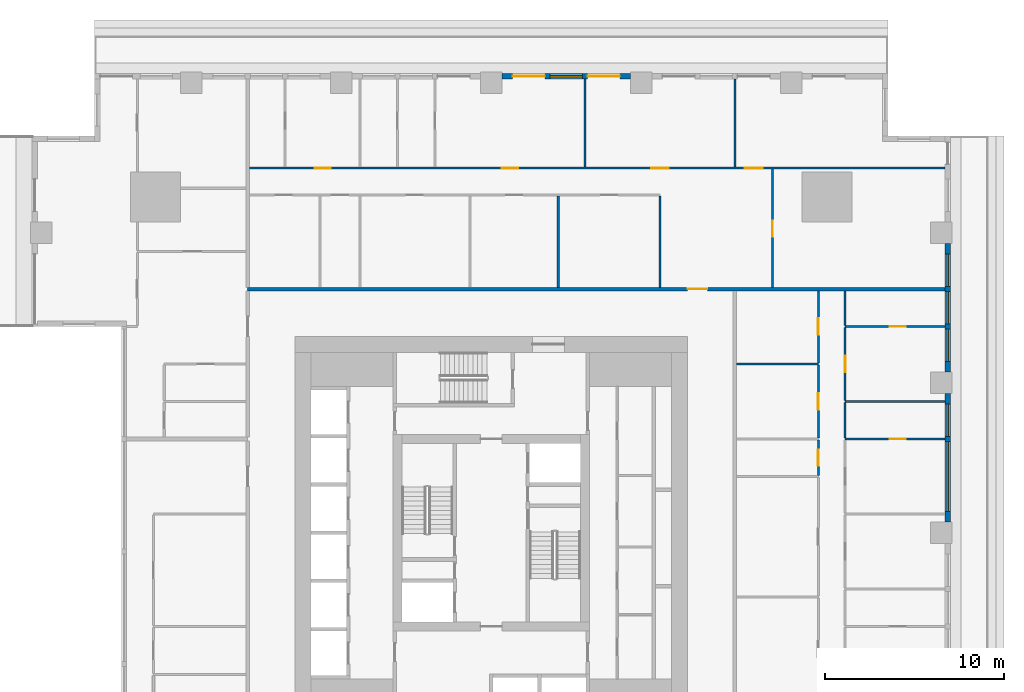
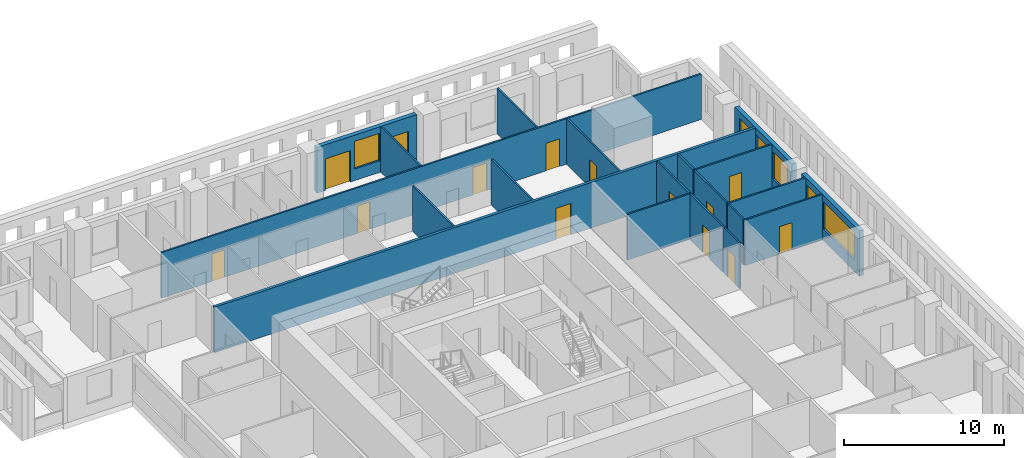
# One storey, part 8 of 14: 20 walls, 14 doors, 6 windows, 20 openings.
"""IFC4 building model written with IfcOpenShell, lengths in metres."""

from ifc_helpers import new_model, si_unit, direction, frame, frame_2d, origin, place, context, subcontext, project, spatial, rectangle, extrude, material, layer, layer_set, type_object, element, fill, save


model = new_model("IFC4")

# Units and contexts
model_context = context("Model", 3, precision=1e-05, world=origin(), true_north=direction((0.0, 1.0)))
body_context = subcontext(model_context, "Body", "Model", "MODEL_VIEW")
ifc_project = project(units=[si_unit("LENGTHUNIT", "METRE"), si_unit("AREAUNIT", "SQUARE_METRE"), si_unit("VOLUMEUNIT", "CUBIC_METRE"), si_unit("PLANEANGLEUNIT", "RADIAN"), si_unit("MASSUNIT", "GRAM", prefix="KILO")], contexts=[model_context])

# Site, building, storey
site_placement = place(None, origin())
site = spatial("IfcSite", under=ifc_project, at=site_placement, CompositionType="ELEMENT")
building_placement = place(site_placement, origin())
building = spatial("IfcBuilding", under=site, at=building_placement, Name="Khepri Terraces", CompositionType="ELEMENT")
storey_placement = place(building_placement, frame((0.0, 0.0, 114.300048828125)))
storey = spatial("IfcBuildingStorey", under=building, at=storey_placement, Name="L27", CompositionType="ELEMENT", Elevation=114.300048828125)

# Wall, opening, door
ifc_material_1 = material(Name="Fire-rated gypsum plasterboard partition, mineral wool")
ifc_layer_1 = layer(ifc_material_1, 0.199951171875, Name="Fire-rated gypsum plasterboard partition, mineral wool")
ifc_layer_set_1 = layer_set([ifc_layer_1], Name="Fire-rated gypsum plasterboard partition, mineral wool")
wall_type_1 = type_object("IfcWallType", Name="WL-CORR-200", PredefinedType="PARTITIONING", material=ifc_layer_set_1)
wall_1_placement = place(storey_placement, frame((-13.64990234375, 13.64990234375, 0.0), z_axis=(0.0, 0.0, 1.0), x_axis=(1.0, 0.0, 0.0)))
wall_1 = element("IfcWall", 1, at=wall_1_placement, inside=storey, type_object=wall_type_1, Name="Partition P-067 L27", PredefinedType="PARTITIONING", context=body_context, shape_type="SweptSolid", body=[
    extrude(rectangle(XDim=39.06982421875, YDim=0.199951171875, at=frame_2d((19.534912109375, 0.0))), origin(), (0.0, 0.0, 1.0), 3.47998046875),
])
opening_1_placement = place(wall_1_placement, frame((24.64990234375, 0.0, 0.0)))
opening_1 = element("IfcOpeningElement", 2, at=opening_1_placement, cuts=wall_1, Name="Opening D1", PredefinedType="OPENING", context=body_context, shape_type="SweptSolid", body=[
    extrude(rectangle(XDim=1.10009765625, YDim=2.39990234375, at=frame_2d((0.550048828125, 1.199951171875))), frame((0.0, 0.10986328125, 0.0), z_axis=(0.0, -1.0, 0.0), x_axis=(1.0, 0.0, 0.0)), (0.0, 0.0, 1.0), 0.219970703125),
])
ifc_material_2 = material(Name="Solid-core timber door leaf, flat entrance door", Category="wood")
door_type_1 = type_object("IfcDoorType", Name="DR-ENT-1100", OperationType="NOTDEFINED", PredefinedType="DOOR", material=ifc_material_2)
door_1_placement = place(opening_1_placement, origin())
door_1 = element("IfcDoor", 3, at=door_1_placement, inside=storey, type_object=door_type_1, Name="Flat C1 entrance door", OperationType="SINGLE_SWING_RIGHT", OverallHeight=2.39990234375, OverallWidth=1.10009765625, PredefinedType="DOOR", context=body_context, shape_type="SweptSolid", body=[
    extrude(rectangle(XDim=1.10009765625, YDim=2.39990234375, at=frame_2d((0.550048828125, 1.199951171875))), frame((0.0, 0.02490234375, 0.0), z_axis=(0.0, -1.0, 0.0), x_axis=(1.0, 0.0, 0.0)), (0.0, 0.0, 1.0), 0.050048828125),
])
fill(opening_1, door_1)

# Wall, openings, windows
ifc_material_3 = material(Name="Precast concrete C50/60 warm stone", Category="masonry")
ifc_layer_2 = layer(ifc_material_3, 0.300048828125, Name="Precast concrete C50/60 warm stone", Category="masonry")
ifc_layer_set_2 = layer_set([ifc_layer_2], Name="Precast concrete C50/60 warm stone")
wall_type_2 = type_object("IfcWallType", Name="WL-EXT-PRECAST-300", PredefinedType="STANDARD", material=ifc_layer_set_2)
wall_2_placement = place(storey_placement, frame((25.570068359375, 0.60009765625, 0.0), z_axis=(0.0, 0.0, 1.0), x_axis=(0.0, 1.0, 0.0)))
wall_2 = element("IfcWall", 4, at=wall_2_placement, inside=storey, type_object=wall_type_2, Name="External wall L27 E", PredefinedType="STANDARD", context=body_context, shape_type="SweptSolid", body=[
    extrude(rectangle(XDim=7.199951171875, YDim=0.300048828125, at=frame_2d((3.60009765625, 0.0))), origin(), (0.0, 0.0, 1.0), 3.47998046875),
])
opening_2_placement = place(wall_2_placement, frame((0.60009765625, 0.0, 0.89990234375)))
opening_2 = element("IfcOpeningElement", 5, at=opening_2_placement, cuts=wall_2, Name="Opening W2", PredefinedType="OPENING", context=body_context, shape_type="SweptSolid", body=[
    extrude(rectangle(XDim=3.89990234375, YDim=2.10009765625, at=frame_2d((1.949951171875, 1.050048828125))), frame((0.0, 0.16015625, 0.0), z_axis=(0.0, -1.0, 0.0), x_axis=(1.0, 0.0, 0.0)), (0.0, 0.0, 1.0), 0.320068359375),
])
opening_3_placement = place(wall_2_placement, frame((4.800048828125, 0.0, 0.89990234375)))
opening_3 = element("IfcOpeningElement", 6, at=opening_3_placement, cuts=wall_2, Name="Opening W1", PredefinedType="OPENING", context=body_context, shape_type="SweptSolid", body=[
    extrude(rectangle(XDim=1.800048828125, YDim=2.10009765625, at=frame_2d((0.89990234375, 1.050048828125))), frame((0.0, 0.16015625, 0.0), z_axis=(0.0, -1.0, 0.0), x_axis=(1.0, 0.0, 0.0)), (0.0, 0.0, 1.0), 0.320068359375),
])
ifc_material_4 = material(Name="Clear glass", Category="glass")
window_type_1 = type_object("IfcWindowType", Name="WIN-RES-1800x2100", PartitioningType="SINGLE_PANEL", PredefinedType="WINDOW", material=ifc_material_4)
window_1_placement = place(opening_3_placement, origin())
window_1 = element("IfcWindow", 7, at=window_1_placement, inside=storey, type_object=window_type_1, Name="Window L27 E", OverallHeight=2.10009765625, OverallWidth=1.800048828125, PartitioningType="SINGLE_PANEL", PredefinedType="WINDOW", context=body_context, shape_type="SweptSolid", body=[
    extrude(rectangle(XDim=1.800048828125, YDim=2.10009765625, at=frame_2d((0.89990234375, 1.050048828125))), frame((0.0, 0.030029296875, 0.0), z_axis=(0.0, -1.0, 0.0), x_axis=(1.0, 0.0, 0.0)), (0.0, 0.0, 1.0), 0.06005859375),
])
fill(opening_3, window_1)
window_type_2 = type_object("IfcWindowType", Name="WIN-RES-3900x2100", PartitioningType="SINGLE_PANEL", PredefinedType="WINDOW", material=ifc_material_4)
window_2_placement = place(opening_2_placement, origin())
window_2 = element("IfcWindow", 8, at=window_2_placement, inside=storey, type_object=window_type_2, Name="Window L27 E", OverallHeight=2.10009765625, OverallWidth=3.89990234375, PartitioningType="SINGLE_PANEL", PredefinedType="WINDOW", context=body_context, shape_type="SweptSolid", body=[
    extrude(rectangle(XDim=3.89990234375, YDim=2.10009765625, at=frame_2d((1.949951171875, 1.050048828125))), frame((0.0, 0.030029296875, 0.0), z_axis=(0.0, -1.0, 0.0), x_axis=(1.0, 0.0, 0.0)), (0.0, 0.0, 1.0), 0.06005859375),
])
fill(opening_2, window_2)

wall_3_placement = place(storey_placement, frame((25.570068359375, 9.0, 0.0), z_axis=(0.0, 0.0, 1.0), x_axis=(0.0, 1.0, 0.0)))
wall_3 = element("IfcWall", 9, at=wall_3_placement, inside=storey, type_object=wall_type_2, Name="External wall L27 E", PredefinedType="STANDARD", context=body_context, shape_type="SweptSolid", body=[
    extrude(rectangle(XDim=7.199951171875, YDim=0.300048828125, at=frame_2d((3.60009765625, 0.0))), origin(), (0.0, 0.0, 1.0), 3.47998046875),
])
opening_4_placement = place(wall_3_placement, frame((0.60009765625, 0.0, 0.89990234375)))
opening_4 = element("IfcOpeningElement", 10, at=opening_4_placement, cuts=wall_3, Name="Opening W1", PredefinedType="OPENING", context=body_context, shape_type="SweptSolid", body=[
    extrude(rectangle(XDim=1.800048828125, YDim=2.10009765625, at=frame_2d((0.89990234375, 1.050048828125))), frame((0.0, 0.16015625, 0.0), z_axis=(0.0, -1.0, 0.0), x_axis=(1.0, 0.0, 0.0)), (0.0, 0.0, 1.0), 0.320068359375),
])
opening_5_placement = place(wall_3_placement, frame((2.699951171875, 0.0, 0.89990234375)))
opening_5 = element("IfcOpeningElement", 11, at=opening_5_placement, cuts=wall_3, Name="Opening W1", PredefinedType="OPENING", context=body_context, shape_type="SweptSolid", body=[
    extrude(rectangle(XDim=1.800048828125, YDim=2.10009765625, at=frame_2d((0.89990234375, 1.050048828125))), frame((0.0, 0.16015625, 0.0), z_axis=(0.0, -1.0, 0.0), x_axis=(1.0, 0.0, 0.0)), (0.0, 0.0, 1.0), 0.320068359375),
])
opening_6_placement = place(wall_3_placement, frame((4.800048828125, 0.0, 0.89990234375)))
opening_6 = element("IfcOpeningElement", 12, at=opening_6_placement, cuts=wall_3, Name="Opening W1", PredefinedType="OPENING", context=body_context, shape_type="SweptSolid", body=[
    extrude(rectangle(XDim=1.800048828125, YDim=2.10009765625, at=frame_2d((0.89990234375, 1.050048828125))), frame((0.0, 0.16015625, 0.0), z_axis=(0.0, -1.0, 0.0), x_axis=(1.0, 0.0, 0.0)), (0.0, 0.0, 1.0), 0.320068359375),
])
window_3_placement = place(opening_4_placement, origin())
window_3 = element("IfcWindow", 13, at=window_3_placement, inside=storey, type_object=window_type_1, Name="Window L27 E", OverallHeight=2.10009765625, OverallWidth=1.800048828125, PartitioningType="SINGLE_PANEL", PredefinedType="WINDOW", context=body_context, shape_type="SweptSolid", body=[
    extrude(rectangle(XDim=1.800048828125, YDim=2.10009765625, at=frame_2d((0.89990234375, 1.050048828125))), frame((0.0, 0.030029296875, 0.0), z_axis=(0.0, -1.0, 0.0), x_axis=(1.0, 0.0, 0.0)), (0.0, 0.0, 1.0), 0.06005859375),
])
fill(opening_4, window_3)
window_4_placement = place(opening_5_placement, origin())
window_4 = element("IfcWindow", 14, at=window_4_placement, inside=storey, type_object=window_type_1, Name="Window L27 E", OverallHeight=2.10009765625, OverallWidth=1.800048828125, PartitioningType="SINGLE_PANEL", PredefinedType="WINDOW", context=body_context, shape_type="SweptSolid", body=[
    extrude(rectangle(XDim=1.800048828125, YDim=2.10009765625, at=frame_2d((0.89990234375, 1.050048828125))), frame((0.0, 0.030029296875, 0.0), z_axis=(0.0, -1.0, 0.0), x_axis=(1.0, 0.0, 0.0)), (0.0, 0.0, 1.0), 0.06005859375),
])
fill(opening_5, window_4)
window_5_placement = place(opening_6_placement, origin())
window_5 = element("IfcWindow", 15, at=window_5_placement, inside=storey, type_object=window_type_1, Name="Window L27 E", OverallHeight=2.10009765625, OverallWidth=1.800048828125, PartitioningType="SINGLE_PANEL", PredefinedType="WINDOW", context=body_context, shape_type="SweptSolid", body=[
    extrude(rectangle(XDim=1.800048828125, YDim=2.10009765625, at=frame_2d((0.89990234375, 1.050048828125))), frame((0.0, 0.030029296875, 0.0), z_axis=(0.0, -1.0, 0.0), x_axis=(1.0, 0.0, 0.0)), (0.0, 0.0, 1.0), 0.06005859375),
])
fill(opening_6, window_5)

# Wall, openings, doors, window
wall_4_placement = place(storey_placement, frame((7.800048828125, 25.570068359375, 0.0), z_axis=(0.0, 0.0, 1.0), x_axis=(-1.0, 0.0, 0.0)))
wall_4 = element("IfcWall", 16, at=wall_4_placement, inside=storey, type_object=wall_type_2, Name="External wall L27 N", PredefinedType="STANDARD", context=body_context, shape_type="SweptSolid", body=[
    extrude(rectangle(XDim=7.199951171875, YDim=0.300048828125, at=frame_2d((3.60009765625, 0.0))), origin(), (0.0, 0.0, 1.0), 3.47998046875),
])
opening_7_placement = place(wall_4_placement, frame((0.60009765625, 0.0, 0.0)))
opening_7 = element("IfcOpeningElement", 17, at=opening_7_placement, cuts=wall_4, Name="Opening ED-L27-08", PredefinedType="OPENING", context=body_context, shape_type="SweptSolid", body=[
    extrude(rectangle(XDim=1.800048828125, YDim=2.39990234375, at=frame_2d((0.89990234375, 1.199951171875))), frame((0.0, 0.16015625, 0.0), z_axis=(0.0, -1.0, 0.0), x_axis=(1.0, 0.0, 0.0)), (0.0, 0.0, 1.0), 0.320068359375),
])
opening_8_placement = place(wall_4_placement, frame((2.699951171875, 0.0, 0.89990234375)))
opening_8 = element("IfcOpeningElement", 18, at=opening_8_placement, cuts=wall_4, Name="Opening W1", PredefinedType="OPENING", context=body_context, shape_type="SweptSolid", body=[
    extrude(rectangle(XDim=1.800048828125, YDim=2.10009765625, at=frame_2d((0.89990234375, 1.050048828125))), frame((0.0, 0.16015625, 0.0), z_axis=(0.0, -1.0, 0.0), x_axis=(1.0, 0.0, 0.0)), (0.0, 0.0, 1.0), 0.320068359375),
])
opening_9_placement = place(wall_4_placement, frame((4.800048828125, 0.0, 0.0)))
opening_9 = element("IfcOpeningElement", 19, at=opening_9_placement, cuts=wall_4, Name="Opening ED-L27-09", PredefinedType="OPENING", context=body_context, shape_type="SweptSolid", body=[
    extrude(rectangle(XDim=1.800048828125, YDim=2.39990234375, at=frame_2d((0.89990234375, 1.199951171875))), frame((0.0, 0.16015625, 0.0), z_axis=(0.0, -1.0, 0.0), x_axis=(1.0, 0.0, 0.0)), (0.0, 0.0, 1.0), 0.320068359375),
])
ifc_material_5 = material(Name="Anodised aluminium bronze glazed door", Category="aluminium")
door_type_2 = type_object("IfcDoorType", Name="DR-BAL-SLIDE-1800x2400", OperationType="NOTDEFINED", PredefinedType="DOOR", material=ifc_material_5)
door_2_placement = place(opening_7_placement, origin())
door_2 = element("IfcDoor", 20, at=door_2_placement, inside=storey, type_object=door_type_2, Name="Balcony door L27 N", OperationType="SLIDING_TO_LEFT", OverallHeight=2.39990234375, OverallWidth=1.800048828125, PredefinedType="DOOR", context=body_context, shape_type="SweptSolid", body=[
    extrude(rectangle(XDim=1.800048828125, YDim=2.39990234375, at=frame_2d((0.89990234375, 1.199951171875))), frame((0.0, 0.02490234375, 0.0), z_axis=(0.0, -1.0, 0.0), x_axis=(1.0, 0.0, 0.0)), (0.0, 0.0, 1.0), 0.050048828125),
])
fill(opening_7, door_2)
door_3_placement = place(opening_9_placement, origin())
door_3 = element("IfcDoor", 21, at=door_3_placement, inside=storey, type_object=door_type_2, Name="Balcony door L27 N", OperationType="SLIDING_TO_RIGHT", OverallHeight=2.39990234375, OverallWidth=1.800048828125, PredefinedType="DOOR", context=body_context, shape_type="SweptSolid", body=[
    extrude(rectangle(XDim=1.800048828125, YDim=2.39990234375, at=frame_2d((0.89990234375, 1.199951171875))), frame((0.0, 0.02490234375, 0.0), z_axis=(0.0, -1.0, 0.0), x_axis=(1.0, 0.0, 0.0)), (0.0, 0.0, 1.0), 0.050048828125),
])
fill(opening_9, door_3)
window_6_placement = place(opening_8_placement, origin())
window_6 = element("IfcWindow", 22, at=window_6_placement, inside=storey, type_object=window_type_1, Name="Window L27 N", OverallHeight=2.10009765625, OverallWidth=1.800048828125, PartitioningType="SINGLE_PANEL", PredefinedType="WINDOW", context=body_context, shape_type="SweptSolid", body=[
    extrude(rectangle(XDim=1.800048828125, YDim=2.10009765625, at=frame_2d((0.89990234375, 1.050048828125))), frame((0.0, 0.030029296875, 0.0), z_axis=(0.0, -1.0, 0.0), x_axis=(1.0, 0.0, 0.0)), (0.0, 0.0, 1.0), 0.06005859375),
])
fill(opening_8, window_6)

# Wall, opening, door
ifc_material_6 = material(Name="Gypsum plasterboard partition")
ifc_layer_3 = layer(ifc_material_6, 0.1201171875, Name="Gypsum plasterboard partition")
ifc_layer_set_3 = layer_set([ifc_layer_3], Name="Gypsum plasterboard partition")
wall_type_3 = type_object("IfcWallType", Name="WL-PART-120", PredefinedType="PARTITIONING", material=ifc_layer_set_3)
wall_5_placement = place(storey_placement, frame((18.320068359375, 3.2099609375, 0.0), z_axis=(0.0, 0.0, 1.0), x_axis=(0.0, 1.0, 0.0)))
wall_5 = element("IfcWall", 23, at=wall_5_placement, inside=storey, type_object=wall_type_3, Name="Partition P-048 L27", PredefinedType="PARTITIONING", context=body_context, shape_type="SweptSolid", body=[
    extrude(rectangle(XDim=1.97998046875, YDim=0.1201171875, at=frame_2d((0.989990234375, 0.0))), origin(), (0.0, 0.0, 1.0), 3.47998046875),
])
opening_10_placement = place(wall_5_placement, frame((0.5400390625, 0.0, 0.0)))
opening_10 = element("IfcOpeningElement", 24, at=opening_10_placement, cuts=wall_5, Name="Opening D4", PredefinedType="OPENING", context=body_context, shape_type="SweptSolid", body=[
    extrude(rectangle(XDim=0.89990234375, YDim=2.10009765625, at=frame_2d((0.449951171875, 1.050048828125))), frame((0.0, 0.070068359375, 0.0), z_axis=(0.0, -1.0, 0.0), x_axis=(1.0, 0.0, 0.0)), (0.0, 0.0, 1.0), 0.14013671875),
])
ifc_material_7 = material(Name="Timber door leaf, moisture resistant", Category="wood")
door_type_3 = type_object("IfcDoorType", Name="DR-WET-900", OperationType="NOTDEFINED", PredefinedType="DOOR", material=ifc_material_7)
door_4_placement = place(opening_10_placement, origin())
door_4 = element("IfcDoor", 25, at=door_4_placement, inside=storey, type_object=door_type_3, Name="Door Powder Room", OperationType="SINGLE_SWING_RIGHT", OverallHeight=2.10009765625, OverallWidth=0.89990234375, PredefinedType="DOOR", context=body_context, shape_type="SweptSolid", body=[
    extrude(rectangle(XDim=0.89990234375, YDim=2.10009765625, at=frame_2d((0.449951171875, 1.050048828125))), frame((0.0, 0.02490234375, 0.0), z_axis=(0.0, -1.0, 0.0), x_axis=(1.0, 0.0, 0.0)), (0.0, 0.0, 1.0), 0.050048828125),
])
fill(opening_10, door_4)

wall_6_placement = place(storey_placement, frame((19.820068359375, 5.25, 0.0), z_axis=(0.0, 0.0, 1.0), x_axis=(1.0, 0.0, 0.0)))
wall_6 = element("IfcWall", 26, at=wall_6_placement, inside=storey, type_object=wall_type_3, Name="Partition P-051 L27", PredefinedType="PARTITIONING", context=body_context, shape_type="SweptSolid", body=[
    extrude(rectangle(XDim=5.599853515625, YDim=0.1201171875, at=frame_2d((2.7998046875, 0.0))), origin(), (0.0, 0.0, 1.0), 3.47998046875),
])
opening_11_placement = place(wall_6_placement, frame((2.5, 0.0, 0.0)))
opening_11 = element("IfcOpeningElement", 27, at=opening_11_placement, cuts=wall_6, Name="Opening D4", PredefinedType="OPENING", context=body_context, shape_type="SweptSolid", body=[
    extrude(rectangle(XDim=0.89990234375, YDim=2.10009765625, at=frame_2d((0.449951171875, 1.050048828125))), frame((0.0, 0.070068359375, 0.0), z_axis=(0.0, -1.0, 0.0), x_axis=(1.0, 0.0, 0.0)), (0.0, 0.0, 1.0), 0.14013671875),
])
door_5_placement = place(opening_11_placement, origin())
door_5 = element("IfcDoor", 28, at=door_5_placement, inside=storey, type_object=door_type_3, Name="Door Bathroom", OperationType="SINGLE_SWING_RIGHT", OverallHeight=2.10009765625, OverallWidth=0.89990234375, PredefinedType="DOOR", context=body_context, shape_type="SweptSolid", body=[
    extrude(rectangle(XDim=0.89990234375, YDim=2.10009765625, at=frame_2d((0.449951171875, 1.050048828125))), frame((0.0, 0.02490234375, 0.0), z_axis=(0.0, -1.0, 0.0), x_axis=(1.0, 0.0, 0.0)), (0.0, 0.0, 1.0), 0.050048828125),
])
fill(opening_11, door_5)

wall_7_placement = place(storey_placement, frame((18.320068359375, 5.31005859375, 0.0), z_axis=(0.0, 0.0, 1.0), x_axis=(0.0, 1.0, 0.0)))
wall_7 = element("IfcWall", 29, at=wall_7_placement, inside=storey, type_object=wall_type_3, Name="Partition P-052 L27", PredefinedType="PARTITIONING", context=body_context, shape_type="SweptSolid", body=[
    extrude(rectangle(XDim=4.079833984375, YDim=0.1201171875, at=frame_2d((2.0400390625, 0.0))), origin(), (0.0, 0.0, 1.0), 3.47998046875),
])
opening_12_placement = place(wall_7_placement, frame((1.590087890625, 0.0, 0.0)))
opening_12 = element("IfcOpeningElement", 30, at=opening_12_placement, cuts=wall_7, Name="Opening D4", PredefinedType="OPENING", context=body_context, shape_type="SweptSolid", body=[
    extrude(rectangle(XDim=0.89990234375, YDim=2.10009765625, at=frame_2d((0.449951171875, 1.050048828125))), frame((0.0, 0.070068359375, 0.0), z_axis=(0.0, -1.0, 0.0), x_axis=(1.0, 0.0, 0.0)), (0.0, 0.0, 1.0), 0.14013671875),
])
door_6_placement = place(opening_12_placement, origin())
door_6 = element("IfcDoor", 31, at=door_6_placement, inside=storey, type_object=door_type_3, Name="Door Guest Bathroom", OperationType="SINGLE_SWING_LEFT", OverallHeight=2.10009765625, OverallWidth=0.89990234375, PredefinedType="DOOR", context=body_context, shape_type="SweptSolid", body=[
    extrude(rectangle(XDim=0.89990234375, YDim=2.10009765625, at=frame_2d((0.449951171875, 1.050048828125))), frame((0.0, 0.02490234375, 0.0), z_axis=(0.0, -1.0, 0.0), x_axis=(1.0, 0.0, 0.0)), (0.0, 0.0, 1.0), 0.050048828125),
])
fill(opening_12, door_6)

# Walls
wall_8_placement = place(storey_placement, frame((19.820068359375, 5.31005859375, 0.0), z_axis=(0.0, 0.0, 1.0), x_axis=(0.0, 1.0, 0.0)))
element("IfcWall", 32, at=wall_8_placement, inside=storey, type_object=wall_type_3, Name="Partition P-053 L27", PredefinedType="PARTITIONING", context=body_context, shape_type="SweptSolid", body=[
    extrude(rectangle(XDim=1.97998046875, YDim=0.1201171875, at=frame_2d((0.989990234375, 0.0))), origin(), (0.0, 0.0, 1.0), 3.47998046875),
])
wall_9_placement = place(storey_placement, frame((19.820068359375, 7.35009765625, 0.0), z_axis=(0.0, 0.0, 1.0), x_axis=(1.0, 0.0, 0.0)))
element("IfcWall", 33, at=wall_9_placement, inside=storey, type_object=wall_type_3, Name="Partition P-057 L27", PredefinedType="PARTITIONING", context=body_context, shape_type="SweptSolid", body=[
    extrude(rectangle(XDim=5.599853515625, YDim=0.1201171875, at=frame_2d((2.7998046875, 0.0))), origin(), (0.0, 0.0, 1.0), 3.47998046875),
])

# Wall, opening, door
wall_10_placement = place(storey_placement, frame((19.820068359375, 7.409912109375, 0.0), z_axis=(0.0, 0.0, 1.0), x_axis=(0.0, 1.0, 0.0)))
wall_10 = element("IfcWall", 34, at=wall_10_placement, inside=storey, type_object=wall_type_3, Name="Partition P-059 L27", PredefinedType="PARTITIONING", context=body_context, shape_type="SweptSolid", body=[
    extrude(rectangle(XDim=4.080078125, YDim=0.1201171875, at=frame_2d((2.0400390625, 0.0))), origin(), (0.0, 0.0, 1.0), 3.47998046875),
])
opening_13_placement = place(wall_10_placement, frame((1.590087890625, 0.0, 0.0)))
opening_13 = element("IfcOpeningElement", 35, at=opening_13_placement, cuts=wall_10, Name="Opening D3", PredefinedType="OPENING", context=body_context, shape_type="SweptSolid", body=[
    extrude(rectangle(XDim=0.89990234375, YDim=2.10009765625, at=frame_2d((0.449951171875, 1.050048828125))), frame((0.0, 0.070068359375, 0.0), z_axis=(0.0, -1.0, 0.0), x_axis=(1.0, 0.0, 0.0)), (0.0, 0.0, 1.0), 0.14013671875),
])
ifc_material_8 = material(Name="Timber door leaf", Category="wood")
door_type_4 = type_object("IfcDoorType", Name="DR-INT-900", OperationType="NOTDEFINED", PredefinedType="DOOR", material=ifc_material_8)
door_7_placement = place(opening_13_placement, frame((0.89990234375, 0.0, 0.0), z_axis=(0.0, 0.0, 1.0), x_axis=(-1.0, 0.0, 0.0)))
door_7 = element("IfcDoor", 36, at=door_7_placement, inside=storey, type_object=door_type_4, Name="Door Bedroom", OperationType="SINGLE_SWING_RIGHT", OverallHeight=2.10009765625, OverallWidth=0.89990234375, PredefinedType="DOOR", context=body_context, shape_type="SweptSolid", body=[
    extrude(rectangle(XDim=0.89990234375, YDim=2.10009765625, at=frame_2d((0.449951171875, 1.050048828125))), frame((0.0, 0.02490234375, 0.0), z_axis=(0.0, -1.0, 0.0), x_axis=(1.0, 0.0, 0.0)), (0.0, 0.0, 1.0), 0.050048828125),
])
fill(opening_13, door_7)

# Wall
wall_11_placement = place(storey_placement, frame((13.75, 9.449951171875, 0.0), z_axis=(0.0, 0.0, 1.0), x_axis=(1.0, 0.0, 0.0)))
element("IfcWall", 37, at=wall_11_placement, inside=storey, type_object=wall_type_3, Name="Partition P-061 L27", PredefinedType="PARTITIONING", context=body_context, shape_type="SweptSolid", body=[
    extrude(rectangle(XDim=4.570068359375, YDim=0.1201171875, at=frame_2d((2.28515625, 0.0))), origin(), (0.0, 0.0, 1.0), 3.47998046875),
])

# Wall, opening, door
wall_12_placement = place(storey_placement, frame((18.320068359375, 9.510009765625, 0.0), z_axis=(0.0, 0.0, 1.0), x_axis=(0.0, 1.0, 0.0)))
wall_12 = element("IfcWall", 38, at=wall_12_placement, inside=storey, type_object=wall_type_3, Name="Partition P-062 L27", PredefinedType="PARTITIONING", context=body_context, shape_type="SweptSolid", body=[
    extrude(rectangle(XDim=4.0400390625, YDim=0.1201171875, at=frame_2d((2.02001953125, 0.0))), origin(), (0.0, 0.0, 1.0), 3.47998046875),
])
opening_14_placement = place(wall_12_placement, frame((1.590087890625, 0.0, 0.0)))
opening_14 = element("IfcOpeningElement", 39, at=opening_14_placement, cuts=wall_12, Name="Opening D3", PredefinedType="OPENING", context=body_context, shape_type="SweptSolid", body=[
    extrude(rectangle(XDim=0.89990234375, YDim=2.10009765625, at=frame_2d((0.449951171875, 1.050048828125))), frame((0.0, 0.070068359375, 0.0), z_axis=(0.0, -1.0, 0.0), x_axis=(1.0, 0.0, 0.0)), (0.0, 0.0, 1.0), 0.14013671875),
])
door_8_placement = place(opening_14_placement, origin())
door_8 = element("IfcDoor", 40, at=door_8_placement, inside=storey, type_object=door_type_4, Name="Door Library", OperationType="SINGLE_SWING_RIGHT", OverallHeight=2.10009765625, OverallWidth=0.89990234375, PredefinedType="DOOR", context=body_context, shape_type="SweptSolid", body=[
    extrude(rectangle(XDim=0.89990234375, YDim=2.10009765625, at=frame_2d((0.449951171875, 1.050048828125))), frame((0.0, 0.02490234375, 0.0), z_axis=(0.0, -1.0, 0.0), x_axis=(1.0, 0.0, 0.0)), (0.0, 0.0, 1.0), 0.050048828125),
])
fill(opening_14, door_8)

wall_13_placement = place(storey_placement, frame((19.820068359375, 11.550048828125, 0.0), z_axis=(0.0, 0.0, 1.0), x_axis=(1.0, 0.0, 0.0)))
wall_13 = element("IfcWall", 41, at=wall_13_placement, inside=storey, type_object=wall_type_3, Name="Partition P-064 L27", PredefinedType="PARTITIONING", context=body_context, shape_type="SweptSolid", body=[
    extrude(rectangle(XDim=5.599853515625, YDim=0.1201171875, at=frame_2d((2.7998046875, 0.0))), origin(), (0.0, 0.0, 1.0), 3.47998046875),
])
opening_15_placement = place(wall_13_placement, frame((2.5, 0.0, 0.0)))
opening_15 = element("IfcOpeningElement", 42, at=opening_15_placement, cuts=wall_13, Name="Opening D4", PredefinedType="OPENING", context=body_context, shape_type="SweptSolid", body=[
    extrude(rectangle(XDim=0.89990234375, YDim=2.10009765625, at=frame_2d((0.449951171875, 1.050048828125))), frame((0.0, 0.070068359375, 0.0), z_axis=(0.0, -1.0, 0.0), x_axis=(1.0, 0.0, 0.0)), (0.0, 0.0, 1.0), 0.14013671875),
])
door_9_placement = place(opening_15_placement, origin())
door_9 = element("IfcDoor", 43, at=door_9_placement, inside=storey, type_object=door_type_3, Name="Door Bathroom", OperationType="SINGLE_SWING_RIGHT", OverallHeight=2.10009765625, OverallWidth=0.89990234375, PredefinedType="DOOR", context=body_context, shape_type="SweptSolid", body=[
    extrude(rectangle(XDim=0.89990234375, YDim=2.10009765625, at=frame_2d((0.449951171875, 1.050048828125))), frame((0.0, 0.02490234375, 0.0), z_axis=(0.0, -1.0, 0.0), x_axis=(1.0, 0.0, 0.0)), (0.0, 0.0, 1.0), 0.050048828125),
])
fill(opening_15, door_9)

# Walls
wall_14_placement = place(storey_placement, frame((19.820068359375, 11.610107421875, 0.0), z_axis=(0.0, 0.0, 1.0), x_axis=(0.0, 1.0, 0.0)))
element("IfcWall", 44, at=wall_14_placement, inside=storey, type_object=wall_type_3, Name="Partition P-066 L27", PredefinedType="PARTITIONING", context=body_context, shape_type="SweptSolid", body=[
    extrude(rectangle(XDim=1.93994140625, YDim=0.1201171875, at=frame_2d((0.969970703125, 0.0))), origin(), (0.0, 0.0, 1.0), 3.47998046875),
])
for number, where, z_axis, x_axis, name in (
    (45, (3.75, 13.75, 0.0), (0.0, 0.0, 1.0), (0.0, 1.0, 0.0), "Partition P-072 L27"),
    (46, (9.449951171875, 13.75, 0.0), (0.0, 0.0, 1.0), (0.0, 1.0, 0.0), "Partition P-073 L27"),
):
    element("IfcWall", number, at=place(storey_placement, frame(where, z_axis=z_axis, x_axis=x_axis)), inside=storey, type_object=wall_type_3, Name=name, PredefinedType="PARTITIONING", context=body_context, shape_type="SweptSolid", body=[
        extrude(rectangle(XDim=5.110107421875, YDim=0.1201171875, at=frame_2d((2.55517578125, 0.0))), origin(), (0.0, 0.0, 1.0), 3.47998046875),
    ])

# Wall, opening, door
wall_15_placement = place(storey_placement, frame((15.75, 13.75, 0.0), z_axis=(0.0, 0.0, 1.0), x_axis=(0.0, 1.0, 0.0)))
wall_15 = element("IfcWall", 47, at=wall_15_placement, inside=storey, type_object=wall_type_3, Name="Partition P-074 L27", PredefinedType="PARTITIONING", context=body_context, shape_type="SweptSolid", body=[
    extrude(rectangle(XDim=6.610107421875, YDim=0.1201171875, at=frame_2d((3.30517578125, 0.0))), origin(), (0.0, 0.0, 1.0), 3.47998046875),
])
opening_16_placement = place(wall_15_placement, frame((2.8349609375, 0.0, 0.0)))
opening_16 = element("IfcOpeningElement", 48, at=opening_16_placement, cuts=wall_15, Name="Opening D3", PredefinedType="OPENING", context=body_context, shape_type="SweptSolid", body=[
    extrude(rectangle(XDim=0.89990234375, YDim=2.10009765625, at=frame_2d((0.449951171875, 1.050048828125))), frame((0.0, 0.070068359375, 0.0), z_axis=(0.0, -1.0, 0.0), x_axis=(1.0, 0.0, 0.0)), (0.0, 0.0, 1.0), 0.14013671875),
])
door_10_placement = place(opening_16_placement, frame((0.89990234375, 0.0, 0.0), z_axis=(0.0, 0.0, 1.0), x_axis=(-1.0, 0.0, 0.0)))
door_10 = element("IfcDoor", 49, at=door_10_placement, inside=storey, type_object=door_type_4, Name="Door Home Gym", OperationType="SINGLE_SWING_RIGHT", OverallHeight=2.10009765625, OverallWidth=0.89990234375, PredefinedType="DOOR", context=body_context, shape_type="SweptSolid", body=[
    extrude(rectangle(XDim=0.89990234375, YDim=2.10009765625, at=frame_2d((0.449951171875, 1.050048828125))), frame((0.0, 0.02490234375, 0.0), z_axis=(0.0, -1.0, 0.0), x_axis=(1.0, 0.0, 0.0)), (0.0, 0.0, 1.0), 0.050048828125),
])
fill(opening_16, door_10)

# Wall, openings, doors
wall_16_placement = place(storey_placement, frame((-13.550048828125, 20.419921875, 0.0), z_axis=(0.0, 0.0, 1.0), x_axis=(1.0, 0.0, 0.0)))
wall_16 = element("IfcWall", 50, at=wall_16_placement, inside=storey, type_object=wall_type_3, Name="Partition P-080 L27", PredefinedType="PARTITIONING", context=body_context, shape_type="SweptSolid", body=[
    extrude(rectangle(XDim=38.969970703125, YDim=0.1201171875, at=frame_2d((19.48486328125, 0.0))), origin(), (0.0, 0.0, 1.0), 3.47998046875),
])
opening_17_placement = place(wall_16_placement, frame((27.75, 0.0, 0.0)))
opening_17 = element("IfcOpeningElement", 51, at=opening_17_placement, cuts=wall_16, Name="Opening D2", PredefinedType="OPENING", context=body_context, shape_type="SweptSolid", body=[
    extrude(rectangle(XDim=1.0, YDim=2.10009765625, at=frame_2d((0.5, 1.050048828125))), frame((0.0, 0.070068359375, 0.0), z_axis=(0.0, -1.0, 0.0), x_axis=(1.0, 0.0, 0.0)), (0.0, 0.0, 1.0), 0.14013671875),
])
opening_18_placement = place(wall_16_placement, frame((22.5, 0.0, 0.0)))
opening_18 = element("IfcOpeningElement", 52, at=opening_18_placement, cuts=wall_16, Name="Opening D2", PredefinedType="OPENING", context=body_context, shape_type="SweptSolid", body=[
    extrude(rectangle(XDim=1.0, YDim=2.10009765625, at=frame_2d((0.5, 1.050048828125))), frame((0.0, 0.070068359375, 0.0), z_axis=(0.0, -1.0, 0.0), x_axis=(1.0, 0.0, 0.0)), (0.0, 0.0, 1.0), 0.14013671875),
])
opening_19_placement = place(wall_16_placement, frame((14.14990234375, 0.0, 0.0)))
opening_19 = element("IfcOpeningElement", 53, at=opening_19_placement, cuts=wall_16, Name="Opening D3", PredefinedType="OPENING", context=body_context, shape_type="SweptSolid", body=[
    extrude(rectangle(XDim=0.89990234375, YDim=2.10009765625, at=frame_2d((0.449951171875, 1.050048828125))), frame((0.0, 0.070068359375, 0.0), z_axis=(0.0, -1.0, 0.0), x_axis=(1.0, 0.0, 0.0)), (0.0, 0.0, 1.0), 0.14013671875),
])
opening_20_placement = place(wall_16_placement, frame((3.64990234375, 0.0, 0.0)))
opening_20 = element("IfcOpeningElement", 54, at=opening_20_placement, cuts=wall_16, Name="Opening D3", PredefinedType="OPENING", context=body_context, shape_type="SweptSolid", body=[
    extrude(rectangle(XDim=0.89990234375, YDim=2.10009765625, at=frame_2d((0.449951171875, 1.050048828125))), frame((0.0, 0.070068359375, 0.0), z_axis=(0.0, -1.0, 0.0), x_axis=(1.0, 0.0, 0.0)), (0.0, 0.0, 1.0), 0.14013671875),
])
ifc_material_9 = material(Name="Timber door leaf, living room door", Category="wood")
door_type_5 = type_object("IfcDoorType", Name="DR-INT-1000", OperationType="NOTDEFINED", PredefinedType="DOOR", material=ifc_material_9)
door_11_placement = place(opening_17_placement, origin())
door_11 = element("IfcDoor", 55, at=door_11_placement, inside=storey, type_object=door_type_5, Name="Door Living Room", OperationType="SINGLE_SWING_RIGHT", OverallHeight=2.10009765625, OverallWidth=1.0, PredefinedType="DOOR", context=body_context, shape_type="SweptSolid", body=[
    extrude(rectangle(XDim=1.0, YDim=2.10009765625, at=frame_2d((0.5, 1.050048828125))), frame((0.0, 0.02490234375, 0.0), z_axis=(0.0, -1.0, 0.0), x_axis=(1.0, 0.0, 0.0)), (0.0, 0.0, 1.0), 0.050048828125),
])
fill(opening_17, door_11)
door_12_placement = place(opening_18_placement, origin())
door_12 = element("IfcDoor", 56, at=door_12_placement, inside=storey, type_object=door_type_5, Name="Door Family Room", OperationType="SINGLE_SWING_RIGHT", OverallHeight=2.10009765625, OverallWidth=1.0, PredefinedType="DOOR", context=body_context, shape_type="SweptSolid", body=[
    extrude(rectangle(XDim=1.0, YDim=2.10009765625, at=frame_2d((0.5, 1.050048828125))), frame((0.0, 0.02490234375, 0.0), z_axis=(0.0, -1.0, 0.0), x_axis=(1.0, 0.0, 0.0)), (0.0, 0.0, 1.0), 0.050048828125),
])
fill(opening_18, door_12)
door_13_placement = place(opening_19_placement, origin())
door_13 = element("IfcDoor", 57, at=door_13_placement, inside=storey, type_object=door_type_4, Name="Door Master Bedroom", OperationType="SINGLE_SWING_LEFT", OverallHeight=2.10009765625, OverallWidth=0.89990234375, PredefinedType="DOOR", context=body_context, shape_type="SweptSolid", body=[
    extrude(rectangle(XDim=0.89990234375, YDim=2.10009765625, at=frame_2d((0.449951171875, 1.050048828125))), frame((0.0, 0.02490234375, 0.0), z_axis=(0.0, -1.0, 0.0), x_axis=(1.0, 0.0, 0.0)), (0.0, 0.0, 1.0), 0.050048828125),
])
fill(opening_19, door_13)
door_14_placement = place(opening_20_placement, origin())
door_14 = element("IfcDoor", 58, at=door_14_placement, inside=storey, type_object=door_type_4, Name="Door Bedroom", OperationType="SINGLE_SWING_LEFT", OverallHeight=2.10009765625, OverallWidth=0.89990234375, PredefinedType="DOOR", context=body_context, shape_type="SweptSolid", body=[
    extrude(rectangle(XDim=0.89990234375, YDim=2.10009765625, at=frame_2d((0.449951171875, 1.050048828125))), frame((0.0, 0.02490234375, 0.0), z_axis=(0.0, -1.0, 0.0), x_axis=(1.0, 0.0, 0.0)), (0.0, 0.0, 1.0), 0.050048828125),
])
fill(opening_20, door_14)

# Walls
for number, where, z_axis, x_axis, name in (
    (59, (5.25, 20.47998046875, 0.0), (0.0, 0.0, 1.0), (0.0, 1.0, 0.0), "Partition P-085 L27"),
    (60, (13.64990234375, 20.47998046875, 0.0), (0.0, 0.0, 1.0), (0.0, 1.0, 0.0), "Partition P-086 L27"),
):
    element("IfcWall", number, at=place(storey_placement, frame(where, z_axis=z_axis, x_axis=x_axis)), inside=storey, type_object=wall_type_3, Name=name, PredefinedType="PARTITIONING", context=body_context, shape_type="SweptSolid", body=[
        extrude(rectangle(XDim=4.93994140625, YDim=0.1201171875, at=frame_2d((2.469970703125, 0.0))), origin(), (0.0, 0.0, 1.0), 3.47998046875),
    ])

save(model, "model.ifc")
